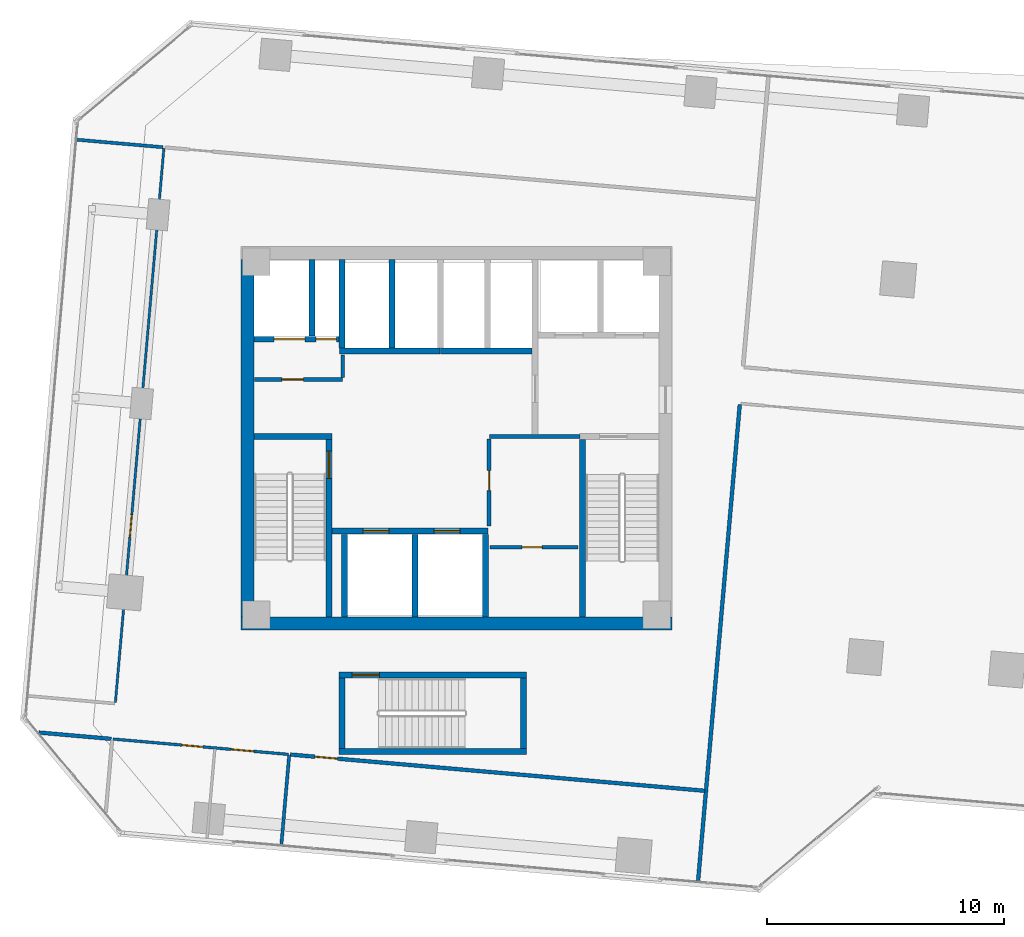
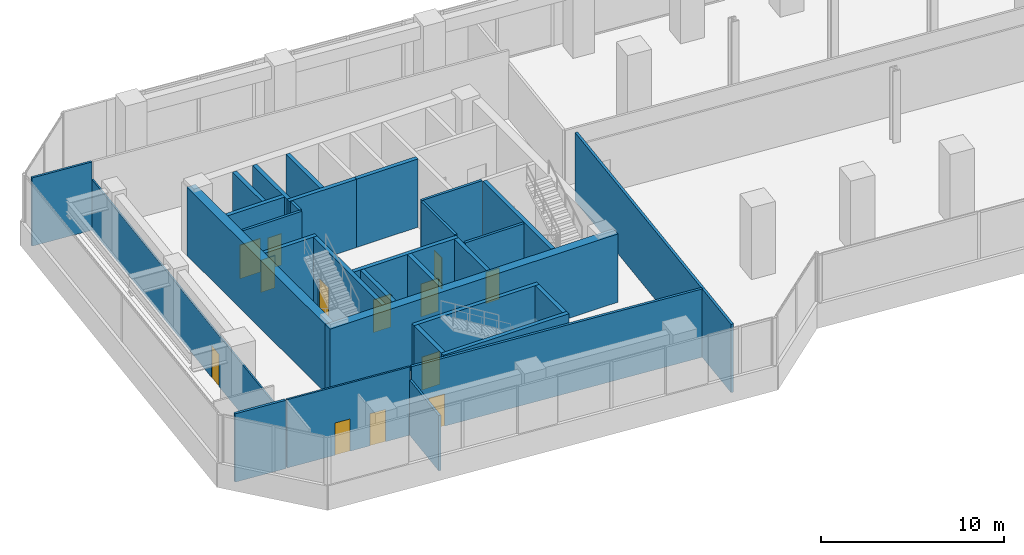
# One storey, part 20 of 24: 31 walls, 13 doors, 13 openings.
"""IFC4 building model written with IfcOpenShell, lengths in metres."""

from ifc_helpers import new_model, si_unit, direction, frame, frame_2d, origin, place, context, subcontext, project, spatial, rectangle, extrude, source, transform, mapped, material, layer, layer_set, type_object, element, fill, save


model = new_model("IFC4")

# Units and contexts
model_context = context("Model", 3, precision=1e-05, world=origin(), true_north=direction((0.0, 1.0)))
body_context = subcontext(model_context, "Body", "Model", "MODEL_VIEW")
ifc_project = project(units=[si_unit("LENGTHUNIT", "METRE"), si_unit("AREAUNIT", "SQUARE_METRE"), si_unit("VOLUMEUNIT", "CUBIC_METRE"), si_unit("PLANEANGLEUNIT", "RADIAN"), si_unit("MASSUNIT", "GRAM", prefix="KILO")], contexts=[model_context])

# Site, building, storey
site_placement = place(None, origin())
site = spatial("IfcSite", under=ifc_project, at=site_placement, CompositionType="ELEMENT")
building_placement = place(site_placement, origin())
building = spatial("IfcBuilding", under=site, at=building_placement, Name="Torre Montelarca", CompositionType="ELEMENT")
storey_placement = place(building_placement, frame((0.0, 0.0, 47.199951171875)))
storey = spatial("IfcBuildingStorey", under=building, at=storey_placement, Name="L10", CompositionType="ELEMENT", Elevation=47.199951171875)

# Wall, opening, door
ifc_material_1 = material(Name="Concrete C40/50", Category="concrete")
ifc_layer_1 = layer(ifc_material_1, 0.25, Name="Concrete C40/50", Category="concrete")
ifc_layer_set_1 = layer_set([ifc_layer_1], Name="Concrete C40/50")
wall_type_1 = type_object("IfcWallType", Name="CW-SHAFT-250", PredefinedType="SHEAR", material=ifc_layer_set_1)
wall_1_placement = place(storey_placement, frame((12.625, 24.4599609375, 0.0), z_axis=(0.0, 0.0, 1.0), x_axis=(0.0, 1.0, 0.0)))
wall_1 = element("IfcWall", 1, at=wall_1_placement, inside=storey, type_object=wall_type_1, Name="L10 Core Shear Wall SH-ST1-E", PredefinedType="SHEAR", context=body_context, shape_type="SweptSolid", body=[
    extrude(rectangle(XDim=7.489990234375, YDim=0.25, at=frame_2d((3.7451171875, 0.0))), origin(), (0.0, 0.0, 1.0), 4.56005859375),
])
opening_1_placement = place(wall_1_placement, frame((5.85009765625, 0.0, 0.0)))
opening_1 = element("IfcOpeningElement", 2, at=opening_1_placement, cuts=wall_1, Name="Opening FD-ST1", PredefinedType="OPENING", context=body_context, shape_type="SweptSolid", body=[
    extrude(rectangle(XDim=1.14990234375, YDim=2.199951171875, at=frame_2d((0.574951171875, 1.10009765625))), frame((0.0, 0.135009765625, 0.0), z_axis=(0.0, -1.0, 0.0), x_axis=(1.0, 0.0, 0.0)), (0.0, 0.0, 1.0), 0.27001953125),
])
ifc_material_2 = material(Name="Galvanized steel fire door", Category="steel")
door_type_1 = type_object("IfcDoorType", Name="DR-STAIR-115", OperationType="NOTDEFINED", PredefinedType="DOOR", material=ifc_material_2)
shared_shape_1 = source(origin(), body_context, "Body", "SweptSolid", [
    extrude(rectangle(XDim=1.14990234375, YDim=2.199951171875, at=frame_2d((0.574951171875, 1.10009765625))), frame((0.0, 0.02490234375, 0.0), z_axis=(0.0, -1.0, 0.0), x_axis=(1.0, 0.0, 0.0)), (0.0, 0.0, 1.0), 0.050048828125),
])
door_1_placement = place(opening_1_placement, origin())
door_1 = element("IfcDoor", 3, at=door_1_placement, inside=storey, type_object=door_type_1, Name="L10 Exit Stair ST1 Fire Door", OperationType="SINGLE_SWING_RIGHT", OverallHeight=2.199951171875, OverallWidth=1.14990234375, PredefinedType="DOOR", context=body_context, shape_type="MappedRepresentation", body=[
    mapped(shared_shape_1, transform((0.0, 0.0, 0.0), scale=1.0)),
])
fill(opening_1, door_1)

# Walls
wall_2_placement = place(storey_placement, frame((9.4599609375, 32.074951171875, 0.0), z_axis=(0.0, 0.0, 1.0), x_axis=(1.0, 0.0, 0.0)))
element("IfcWall", 4, at=wall_2_placement, inside=storey, type_object=wall_type_1, Name="L10 Core Shear Wall SH-ST1-N", PredefinedType="SHEAR", context=body_context, shape_type="SweptSolid", body=[
    extrude(rectangle(XDim=3.2900390625, YDim=0.25, at=frame_2d((1.64501953125, 0.0))), origin(), (0.0, 0.0, 1.0), 4.56005859375),
])
wall_3_placement = place(storey_placement, frame((23.31494140625, 24.4599609375, 0.0), z_axis=(0.0, 0.0, 1.0), x_axis=(0.0, 1.0, 0.0)))
element("IfcWall", 5, at=wall_3_placement, inside=storey, type_object=wall_type_1, Name="L10 Core Shear Wall SH-ST2-W", PredefinedType="SHEAR", context=body_context, shape_type="SweptSolid", body=[
    extrude(rectangle(XDim=7.489990234375, YDim=0.25, at=frame_2d((3.7451171875, 0.0))), origin(), (0.0, 0.0, 1.0), 4.56005859375),
])

# Wall, openings, doors
wall_4_placement = place(storey_placement, frame((9.4599609375, 36.179931640625, 0.0), z_axis=(0.0, 0.0, 1.0), x_axis=(1.0, 0.0, 0.0)))
wall_4 = element("IfcWall", 6, at=wall_4_placement, inside=storey, type_object=wall_type_1, Name="L10 Core Shear Wall SH-SV1-S", PredefinedType="SHEAR", context=body_context, shape_type="SweptSolid", body=[
    extrude(rectangle(XDim=3.7900390625, YDim=0.25, at=frame_2d((1.89501953125, 0.0))), origin(), (0.0, 0.0, 1.0), 4.56005859375),
])
opening_2_placement = place(wall_4_placement, frame((2.6201171875, 0.0, 0.0)))
opening_2 = element("IfcOpeningElement", 7, at=opening_2_placement, cuts=wall_4, Name="Opening FD-085", PredefinedType="OPENING", context=body_context, shape_type="SweptSolid", body=[
    extrude(rectangle(XDim=0.85009765625, YDim=2.10009765625, at=frame_2d((0.425048828125, 1.050048828125))), frame((0.0, 0.135009765625, 0.0), z_axis=(0.0, -1.0, 0.0), x_axis=(1.0, 0.0, 0.0)), (0.0, 0.0, 1.0), 0.27001953125),
])
opening_3_placement = place(wall_4_placement, frame((0.85009765625, 0.0, 0.0)))
opening_3 = element("IfcOpeningElement", 8, at=opening_3_placement, cuts=wall_4, Name="Opening LD-130", PredefinedType="OPENING", context=body_context, shape_type="SweptSolid", body=[
    extrude(rectangle(XDim=1.300048828125, YDim=2.25, at=frame_2d((0.64990234375, 1.125))), frame((0.0, 0.135009765625, 0.0), z_axis=(0.0, -1.0, 0.0), x_axis=(1.0, 0.0, 0.0)), (0.0, 0.0, 1.0), 0.27001953125),
])
ifc_material_3 = material(Name="Steel riser access fire door", Category="steel")
door_type_2 = type_object("IfcDoorType", Name="DR-RISER-085", OperationType="NOTDEFINED", PredefinedType="DOOR", material=ifc_material_3)
shared_shape_2 = source(origin(), body_context, "Body", "SweptSolid", [
    extrude(rectangle(XDim=0.85009765625, YDim=2.10009765625, at=frame_2d((0.425048828125, 1.050048828125))), frame((0.0, 0.02490234375, 0.0), z_axis=(0.0, -1.0, 0.0), x_axis=(1.0, 0.0, 0.0)), (0.0, 0.0, 1.0), 0.050048828125),
])
door_2_placement = place(opening_2_placement, origin())
door_2 = element("IfcDoor", 9, at=door_2_placement, inside=storey, type_object=door_type_2, Name="L10 Electrical Riser Shaft Access Door", OperationType="SINGLE_SWING_RIGHT", OverallHeight=2.10009765625, OverallWidth=0.85009765625, PredefinedType="DOOR", context=body_context, shape_type="MappedRepresentation", body=[
    mapped(shared_shape_2, transform((0.0, 0.0, 0.0), scale=1.0)),
])
fill(opening_2, door_2)
ifc_material_4 = material(Name="Brushed stainless steel AISI 316", Category="steel")
door_type_3 = type_object("IfcDoorType", Name="DR-LIFT-130", OperationType="SLIDING_TO_LEFT", PredefinedType="DOOR", material=ifc_material_4)
shared_shape_3 = source(origin(), body_context, "Body", "SweptSolid", [
    extrude(rectangle(XDim=1.300048828125, YDim=2.25, at=frame_2d((0.64990234375, 1.125))), frame((0.0, 0.02490234375, 0.0), z_axis=(0.0, -1.0, 0.0), x_axis=(1.0, 0.0, 0.0)), (0.0, 0.0, 1.0), 0.050048828125),
])
door_3_placement = place(opening_3_placement, origin())
door_3 = element("IfcDoor", 10, at=door_3_placement, inside=storey, type_object=door_type_3, Name="L10 Lift Landing Sliding Door SV-1", OperationType="SLIDING_TO_LEFT", OverallHeight=2.25, OverallWidth=1.300048828125, PredefinedType="DOOR", context=body_context, shape_type="MappedRepresentation", body=[
    mapped(shared_shape_3, transform((0.0, 0.0, 0.0), scale=1.0)),
])
fill(opening_3, door_3)

# Wall
wall_5_placement = place(storey_placement, frame((11.89990234375, 36.31005859375, 0.0), z_axis=(0.0, 0.0, 1.0), x_axis=(0.0, 1.0, 0.0)))
element("IfcWall", 11, at=wall_5_placement, inside=storey, type_object=wall_type_1, Name="L10 Core Shear Wall SH-SV1-E", PredefinedType="SHEAR", context=body_context, shape_type="SweptSolid", body=[
    extrude(rectangle(XDim=3.22998046875, YDim=0.25, at=frame_2d((1.614990234375, 0.0))), origin(), (0.0, 0.0, 1.0), 4.56005859375),
])

# Wall, openings, doors
wall_6_placement = place(storey_placement, frame((12.6298828125, 28.080078125, 0.0), z_axis=(0.0, 0.0, 1.0), x_axis=(1.0, 0.0, 0.0)))
wall_6 = element("IfcWall", 12, at=wall_6_placement, inside=storey, type_object=wall_type_1, Name="L10 Core Shear Wall SH-PLL-N", PredefinedType="SHEAR", context=body_context, shape_type="SweptSolid", body=[
    extrude(rectangle(XDim=6.710205078125, YDim=0.25, at=frame_2d((3.35498046875, 0.0))), origin(), (0.0, 0.0, 1.0), 4.56005859375),
])
opening_4_placement = place(wall_6_placement, frame((1.429931640625, 0.0, 0.0)))
opening_4 = element("IfcOpeningElement", 13, at=opening_4_placement, cuts=wall_6, Name="Opening LD-110", PredefinedType="OPENING", context=body_context, shape_type="SweptSolid", body=[
    extrude(rectangle(XDim=1.10009765625, YDim=2.199951171875, at=frame_2d((0.550048828125, 1.10009765625))), frame((0.0, 0.135009765625, 0.0), z_axis=(0.0, -1.0, 0.0), x_axis=(1.0, 0.0, 0.0)), (0.0, 0.0, 1.0), 0.27001953125),
])
opening_5_placement = place(wall_6_placement, frame((4.429931640625, 0.0, 0.0)))
opening_5 = element("IfcOpeningElement", 14, at=opening_5_placement, cuts=wall_6, Name="Opening LD-110", PredefinedType="OPENING", context=body_context, shape_type="SweptSolid", body=[
    extrude(rectangle(XDim=1.10009765625, YDim=2.199951171875, at=frame_2d((0.550048828125, 1.10009765625))), frame((0.0, 0.135009765625, 0.0), z_axis=(0.0, -1.0, 0.0), x_axis=(1.0, 0.0, 0.0)), (0.0, 0.0, 1.0), 0.27001953125),
])
door_type_4 = type_object("IfcDoorType", Name="DR-LIFT-110", OperationType="SLIDING_TO_LEFT", PredefinedType="DOOR", material=ifc_material_4)
shared_shape_4 = source(origin(), body_context, "Body", "SweptSolid", [
    extrude(rectangle(XDim=1.10009765625, YDim=2.199951171875, at=frame_2d((0.550048828125, 1.10009765625))), frame((0.0, 0.02490234375, 0.0), z_axis=(0.0, -1.0, 0.0), x_axis=(1.0, 0.0, 0.0)), (0.0, 0.0, 1.0), 0.050048828125),
])
door_4_placement = place(opening_4_placement, origin())
door_4 = element("IfcDoor", 15, at=door_4_placement, inside=storey, type_object=door_type_4, Name="L10 Lift Landing Sliding Door PL-L1", OperationType="SLIDING_TO_LEFT", OverallHeight=2.199951171875, OverallWidth=1.10009765625, PredefinedType="DOOR", context=body_context, shape_type="MappedRepresentation", body=[
    mapped(shared_shape_4, transform((0.0, 0.0, 0.0), scale=1.0)),
])
fill(opening_4, door_4)
door_5_placement = place(opening_5_placement, origin())
door_5 = element("IfcDoor", 16, at=door_5_placement, inside=storey, type_object=door_type_4, Name="L10 Lift Landing Sliding Door PL-L2", OperationType="SLIDING_TO_RIGHT", OverallHeight=2.199951171875, OverallWidth=1.10009765625, PredefinedType="DOOR", context=body_context, shape_type="MappedRepresentation", body=[
    mapped(shared_shape_4, transform((0.0, 0.0, 0.0), scale=1.0)),
])
fill(opening_5, door_5)

# Walls
for number, where, z_axis, x_axis, name in (
    (17, (13.280029296875, 24.4599609375, 0.0), (0.0, 0.0, 1.0), (0.0, 1.0, 0.0), "L10 Core Shear Wall SH-PLL-W"),
    (18, (16.25, 24.4599609375, 0.0), (0.0, 0.0, 1.0), (0.0, 1.0, 0.0), "L10 Core Shear Wall SH-PLL-M"),
    (19, (19.219970703125, 24.4599609375, 0.0), (0.0, 0.0, 1.0), (0.0, 1.0, 0.0), "L10 Core Shear Wall SH-PLL-E"),
):
    element("IfcWall", number, at=place(storey_placement, frame(where, z_axis=z_axis, x_axis=x_axis)), inside=storey, type_object=wall_type_1, Name=name, PredefinedType="SHEAR", context=body_context, shape_type="SweptSolid", body=[
        extrude(rectangle(XDim=3.489990234375, YDim=0.25, at=frame_2d((1.7451171875, 0.0))), origin(), (0.0, 0.0, 1.0), 4.56005859375),
    ])
wall_7_placement = place(storey_placement, frame((13.06005859375, 35.679931640625, 0.0), z_axis=(0.0, 0.0, 1.0), x_axis=(1.0, 0.0, 0.0)))
element("IfcWall", 20, at=wall_7_placement, inside=storey, type_object=wall_type_1, Name="L10 Core Shear Wall SH-PLM-S", PredefinedType="SHEAR", context=body_context, shape_type="SweptSolid", body=[
    extrude(rectangle(XDim=4.25, YDim=0.25, at=frame_2d((2.125, 0.0))), origin(), (0.0, 0.0, 1.0), 4.56005859375),
])
for number, where, z_axis, x_axis, name in (
    (21, (13.179931640625, 35.81005859375, 0.0), (0.0, 0.0, 1.0), (0.0, 1.0, 0.0), "L10 Core Shear Wall SH-PLM-W"),
    (22, (15.280029296875, 35.81005859375, 0.0), (0.0, 0.0, 1.0), (0.0, 1.0, 0.0), "L10 Core Shear Wall SH-PLM-M"),
):
    element("IfcWall", number, at=place(storey_placement, frame(where, z_axis=z_axis, x_axis=x_axis)), inside=storey, type_object=wall_type_1, Name=name, PredefinedType="SHEAR", context=body_context, shape_type="SweptSolid", body=[
        extrude(rectangle(XDim=3.72998046875, YDim=0.25, at=frame_2d((1.864990234375, 0.0))), origin(), (0.0, 0.0, 1.0), 4.56005859375),
    ])
wall_8_placement = place(storey_placement, frame((17.320068359375, 35.679931640625, 0.0), z_axis=(0.0, 0.0, 1.0), x_axis=(1.0, 0.0, 0.0)))
element("IfcWall", 23, at=wall_8_placement, inside=storey, type_object=wall_type_1, Name="L10 Core Shear Wall SH-PLH-S", PredefinedType="SHEAR", context=body_context, shape_type="SweptSolid", body=[
    extrude(rectangle(XDim=3.869873046875, YDim=0.25, at=frame_2d((1.93505859375, 0.0))), origin(), (0.0, 0.0, 1.0), 4.56005859375),
])
for number, where, z_axis, x_axis, name in (
    (24, (13.175048828125, 18.89990234375, 0.0), (0.0, 0.0, 1.0), (0.0, 1.0, 0.0), "L10 Core Shear Wall SH-ST3-W"),
    (25, (20.824951171875, 18.89990234375, 0.0), (0.0, 0.0, 1.0), (0.0, 1.0, 0.0), "L10 Core Shear Wall SH-ST3-E"),
):
    element("IfcWall", number, at=place(storey_placement, frame(where, z_axis=z_axis, x_axis=x_axis)), inside=storey, type_object=wall_type_1, Name=name, PredefinedType="SHEAR", context=body_context, shape_type="SweptSolid", body=[
        extrude(rectangle(XDim=2.989990234375, YDim=0.25, at=frame_2d((1.4951171875, 0.0))), origin(), (0.0, 0.0, 1.0), 4.56005859375),
    ])
wall_9_placement = place(storey_placement, frame((13.050048828125, 18.77490234375, 0.0), z_axis=(0.0, 0.0, 1.0), x_axis=(1.0, 0.0, 0.0)))
element("IfcWall", 26, at=wall_9_placement, inside=storey, type_object=wall_type_1, Name="L10 Core Shear Wall SH-ST3-S", PredefinedType="SHEAR", context=body_context, shape_type="SweptSolid", body=[
    extrude(rectangle(XDim=7.89990234375, YDim=0.25, at=frame_2d((3.949951171875, 0.0))), origin(), (0.0, 0.0, 1.0), 4.56005859375),
])

# Wall, opening, door
wall_10_placement = place(storey_placement, frame((13.050048828125, 22.014892578125, 0.0), z_axis=(0.0, 0.0, 1.0), x_axis=(1.0, 0.0, 0.0)))
wall_10 = element("IfcWall", 27, at=wall_10_placement, inside=storey, type_object=wall_type_1, Name="L10 Core Shear Wall SH-ST3-N", PredefinedType="SHEAR", context=body_context, shape_type="SweptSolid", body=[
    extrude(rectangle(XDim=7.89990234375, YDim=0.25, at=frame_2d((3.949951171875, 0.0))), origin(), (0.0, 0.0, 1.0), 4.56005859375),
])
opening_6_placement = place(wall_10_placement, frame((0.550048828125, 0.0, 0.0)))
opening_6 = element("IfcOpeningElement", 28, at=opening_6_placement, cuts=wall_10, Name="Opening FD-ST1", PredefinedType="OPENING", context=body_context, shape_type="SweptSolid", body=[
    extrude(rectangle(XDim=1.14990234375, YDim=2.199951171875, at=frame_2d((0.574951171875, 1.10009765625))), frame((0.0, 0.135009765625, 0.0), z_axis=(0.0, -1.0, 0.0), x_axis=(1.0, 0.0, 0.0)), (0.0, 0.0, 1.0), 0.27001953125),
])
door_6_placement = place(opening_6_placement, origin())
door_6 = element("IfcDoor", 29, at=door_6_placement, inside=storey, type_object=door_type_1, Name="L10 Exit Stair ST3 Fire Door", OperationType="SINGLE_SWING_LEFT", OverallHeight=2.199951171875, OverallWidth=1.14990234375, PredefinedType="DOOR", context=body_context, shape_type="MappedRepresentation", body=[
    mapped(shared_shape_1, transform((0.0, 0.0, 0.0), scale=1.0)),
])
fill(opening_6, door_6)

# Walls
ifc_material_5 = material(Name="Concrete C70/85", Category="concrete")
ifc_layer_2 = layer(ifc_material_5, 0.550048828125, Name="Concrete C70/85", Category="concrete")
ifc_layer_set_2 = layer_set([ifc_layer_2], Name="Concrete C70/85")
wall_type_2 = type_object("IfcWallType", Name="CW-SHEAR-550", PredefinedType="SHEAR", material=ifc_layer_set_2)
wall_11_placement = place(storey_placement, frame((9.175048828125, 24.449951171875, 0.0), z_axis=(0.0, 0.0, 1.0), x_axis=(0.0, 1.0, 0.0)))
element("IfcWall", 30, at=wall_11_placement, inside=storey, type_object=wall_type_2, Name="L10 Core Shear Wall CW-W", PredefinedType="SHEAR", context=body_context, shape_type="SweptSolid", body=[
    extrude(rectangle(XDim=15.10009765625, YDim=0.550048828125, at=frame_2d((7.550048828125, 0.0))), origin(), (0.0, 0.0, 1.0), 4.56005859375),
])
wall_12_placement = place(storey_placement, frame((8.89990234375, 24.175048828125, 0.0), z_axis=(0.0, 0.0, 1.0), x_axis=(1.0, 0.0, 0.0)))
element("IfcWall", 31, at=wall_12_placement, inside=storey, type_object=wall_type_2, Name="L10 Core Shear Wall CW-S1", PredefinedType="SHEAR", context=body_context, shape_type="SweptSolid", body=[
    extrude(rectangle(XDim=18.2001953125, YDim=0.550048828125, at=frame_2d((9.10009765625, 0.0))), origin(), (0.0, 0.0, 1.0), 4.56005859375),
])

# Wall, opening, door
ifc_material_6 = material(Name="Gypsum plasterboard on steel stud", Category="steel")
ifc_layer_3 = layer(ifc_material_6, 0.159912109375, Name="Gypsum plasterboard on steel stud", Category="steel")
ifc_layer_set_3 = layer_set([ifc_layer_3], Name="Gypsum plasterboard on steel stud")
wall_type_3 = type_object("IfcWallType", Name="PW-FIRE-160", PredefinedType="PARTITIONING", material=ifc_layer_set_3)
wall_13_placement = place(storey_placement, frame((9.489990234375, 34.47998046875, 0.0), z_axis=(0.0, 0.0, 1.0), x_axis=(1.0, 0.0, 0.0)))
wall_13 = element("IfcWall", 32, at=wall_13_placement, inside=storey, type_object=wall_type_3, Name="L10 Interior Partition CW-L10-SVS", PredefinedType="PARTITIONING", context=body_context, shape_type="SweptSolid", body=[
    extrude(rectangle(XDim=3.699951171875, YDim=0.159912109375, at=frame_2d((1.85009765625, 0.0))), origin(), (0.0, 0.0, 1.0), 4.56005859375),
])
opening_7_placement = place(wall_13_placement, frame((1.14990234375, 0.0, 0.0)))
opening_7 = element("IfcOpeningElement", 33, at=opening_7_placement, cuts=wall_13, Name="Opening FD-090", PredefinedType="OPENING", context=body_context, shape_type="SweptSolid", body=[
    extrude(rectangle(XDim=0.89990234375, YDim=2.14990234375, at=frame_2d((0.449951171875, 1.074951171875))), frame((0.0, 0.08984375, 0.0), z_axis=(0.0, -1.0, 0.0), x_axis=(1.0, 0.0, 0.0)), (0.0, 0.0, 1.0), 0.179931640625),
])
ifc_material_7 = material(Name="Steel service fire door", Category="steel")
door_type_5 = type_object("IfcDoorType", Name="DR-FIRE-090", OperationType="NOTDEFINED", PredefinedType="DOOR", material=ifc_material_7)
shared_shape_5 = source(origin(), body_context, "Body", "SweptSolid", [
    extrude(rectangle(XDim=0.89990234375, YDim=2.14990234375, at=frame_2d((0.449951171875, 1.074951171875))), frame((0.0, 0.02490234375, 0.0), z_axis=(0.0, -1.0, 0.0), x_axis=(1.0, 0.0, 0.0)), (0.0, 0.0, 1.0), 0.050048828125),
])
door_7_placement = place(opening_7_placement, origin())
door_7 = element("IfcDoor", 34, at=door_7_placement, inside=storey, type_object=door_type_5, Name="L10 Interior Door 01", OperationType="SINGLE_SWING_RIGHT", OverallHeight=2.14990234375, OverallWidth=0.89990234375, PredefinedType="DOOR", context=body_context, shape_type="MappedRepresentation", body=[
    mapped(shared_shape_5, transform((0.0, 0.0, 0.0), scale=1.0)),
])
fill(opening_7, door_7)

# Walls
wall_14_placement = place(storey_placement, frame((13.199951171875, 34.570068359375, 0.0), z_axis=(0.0, 0.0, 1.0), x_axis=(0.0, 1.0, 0.0)))
element("IfcWall", 35, at=wall_14_placement, inside=storey, type_object=wall_type_3, Name="L10 Interior Partition CW-L10-SVE", PredefinedType="PARTITIONING", context=body_context, shape_type="SweptSolid", body=[
    extrude(rectangle(XDim=0.93994140625, YDim=0.159912109375, at=frame_2d((0.469970703125, 0.0))), origin(), (0.0, 0.0, 1.0), 4.56005859375),
])
wall_15_placement = place(storey_placement, frame((19.389892578125, 32.080078125, 0.0), z_axis=(0.0, 0.0, 1.0), x_axis=(1.0, 0.0, 0.0)))
element("IfcWall", 36, at=wall_15_placement, inside=storey, type_object=wall_type_3, Name="L10 Interior Partition CW-L10-SEN", PredefinedType="PARTITIONING", context=body_context, shape_type="SweptSolid", body=[
    extrude(rectangle(XDim=3.820068359375, YDim=0.159912109375, at=frame_2d((1.91015625, 0.0))), origin(), (0.0, 0.0, 1.0), 4.56005859375),
])

# Wall, opening, door
wall_16_placement = place(storey_placement, frame((19.3798828125, 28.2900390625, 0.0), z_axis=(0.0, 0.0, 1.0), x_axis=(0.0, 1.0, 0.0)))
wall_16 = element("IfcWall", 37, at=wall_16_placement, inside=storey, type_object=wall_type_3, Name="L10 Interior Partition CW-L10-SEW", PredefinedType="PARTITIONING", context=body_context, shape_type="SweptSolid", body=[
    extrude(rectangle(XDim=3.669921875, YDim=0.159912109375, at=frame_2d((1.8349609375, 0.0))), origin(), (0.0, 0.0, 1.0), 4.56005859375),
])
opening_8_placement = place(wall_16_placement, frame((1.5, 0.0, 0.0)))
opening_8 = element("IfcOpeningElement", 38, at=opening_8_placement, cuts=wall_16, Name="Opening FD-085", PredefinedType="OPENING", context=body_context, shape_type="SweptSolid", body=[
    extrude(rectangle(XDim=0.85009765625, YDim=2.10009765625, at=frame_2d((0.425048828125, 1.050048828125))), frame((0.0, 0.08984375, 0.0), z_axis=(0.0, -1.0, 0.0), x_axis=(1.0, 0.0, 0.0)), (0.0, 0.0, 1.0), 0.179931640625),
])
door_8_placement = place(opening_8_placement, origin())
door_8 = element("IfcDoor", 39, at=door_8_placement, inside=storey, type_object=door_type_2, Name="L10 Interior Door 03", OperationType="SINGLE_SWING_RIGHT", OverallHeight=2.10009765625, OverallWidth=0.85009765625, PredefinedType="DOOR", context=body_context, shape_type="MappedRepresentation", body=[
    mapped(shared_shape_2, transform((0.0, 0.0, 0.0), scale=1.0)),
])
fill(opening_8, door_8)

wall_17_placement = place(storey_placement, frame((19.419921875, 27.39990234375, 0.0), z_axis=(0.0, 0.0, 1.0), x_axis=(1.0, 0.0, 0.0)))
wall_17 = element("IfcWall", 40, at=wall_17_placement, inside=storey, type_object=wall_type_3, Name="L10 Interior Partition CW-L10-SEM1", PredefinedType="PARTITIONING", context=body_context, shape_type="SweptSolid", body=[
    extrude(rectangle(XDim=3.719970703125, YDim=0.159912109375, at=frame_2d((1.85986328125, 0.0))), origin(), (0.0, 0.0, 1.0), 4.56005859375),
])
opening_9_placement = place(wall_17_placement, frame((1.35009765625, 0.0, 0.0)))
opening_9 = element("IfcOpeningElement", 41, at=opening_9_placement, cuts=wall_17, Name="Opening FD-085", PredefinedType="OPENING", context=body_context, shape_type="SweptSolid", body=[
    extrude(rectangle(XDim=0.85009765625, YDim=2.10009765625, at=frame_2d((0.425048828125, 1.050048828125))), frame((0.0, 0.08984375, 0.0), z_axis=(0.0, -1.0, 0.0), x_axis=(1.0, 0.0, 0.0)), (0.0, 0.0, 1.0), 0.179931640625),
])
door_9_placement = place(opening_9_placement, origin())
door_9 = element("IfcDoor", 42, at=door_9_placement, inside=storey, type_object=door_type_2, Name="L10 Interior Door 02", OperationType="SINGLE_SWING_LEFT", OverallHeight=2.10009765625, OverallWidth=0.85009765625, PredefinedType="DOOR", context=body_context, shape_type="MappedRepresentation", body=[
    mapped(shared_shape_2, transform((0.0, 0.0, 0.0), scale=1.0)),
])
fill(opening_9, door_9)

# Wall
wall_18_placement = place(storey_placement, frame((0.385498046875, 19.5830078125, 0.0), z_axis=(0.0, 0.0, 1.0), x_axis=(0.996195275171, -0.087149146451, 0.0)))
element("IfcWall", 43, at=wall_18_placement, inside=storey, type_object=wall_type_3, Name="L10 Interior Partition W-L10-SOCCW", PredefinedType="PARTITIONING", context=body_context, shape_type="SweptSolid", body=[
    extrude(rectangle(XDim=3.06201171875, YDim=0.159912109375, at=frame_2d((1.531005859375, 0.0))), origin(), (0.0, 0.0, 1.0), 4.56005859375),
])

# Wall, opening, door
wall_19_placement = place(storey_placement, frame((10.98681640625, 18.655517578125, 0.0), z_axis=(0.0, 0.0, 1.0), x_axis=(0.99619508988, -0.087151264471, 0.0)))
wall_19 = element("IfcWall", 44, at=wall_19_placement, inside=storey, type_object=wall_type_3, Name="L10 Interior Partition W-L10-SOCCN", PredefinedType="PARTITIONING", context=body_context, shape_type="SweptSolid", body=[
    extrude(rectangle(XDim=17.570068359375, YDim=0.159912109375, at=frame_2d((8.78515625, 0.0))), origin(), (0.0, 0.0, 1.0), 4.56005859375),
])
opening_10_placement = place(wall_19_placement, frame((1.050048828125, 0.0, 0.0)))
opening_10 = element("IfcOpeningElement", 45, at=opening_10_placement, cuts=wall_19, Name="Opening FD-095", PredefinedType="OPENING", context=body_context, shape_type="SweptSolid", body=[
    extrude(rectangle(XDim=0.949951171875, YDim=2.14990234375, at=frame_2d((0.47509765625, 1.074951171875))), frame((0.0, 0.08984375, 0.0), z_axis=(0.0, -1.0, 0.0), x_axis=(1.0, 0.0, 0.0)), (0.0, 0.0, 1.0), 0.179931640625),
])
ifc_material_8 = material(Name="Timber fire-rated room door", Category="wood")
door_type_6 = type_object("IfcDoorType", Name="DR-FIRE-095", OperationType="NOTDEFINED", PredefinedType="DOOR", material=ifc_material_8)
shared_shape_6 = source(origin(), body_context, "Body", "SweptSolid", [
    extrude(rectangle(XDim=0.949951171875, YDim=2.14990234375, at=frame_2d((0.47509765625, 1.074951171875))), frame((0.0, 0.02490234375, 0.0), z_axis=(0.0, -1.0, 0.0), x_axis=(1.0, 0.0, 0.0)), (0.0, 0.0, 1.0), 0.050048828125),
])
door_10_placement = place(opening_10_placement, origin())
door_10 = element("IfcDoor", 46, at=door_10_placement, inside=storey, type_object=door_type_6, Name="L10 Interior Door 06", OperationType="SINGLE_SWING_RIGHT", OverallHeight=2.14990234375, OverallWidth=0.949951171875, PredefinedType="DOOR", context=body_context, shape_type="MappedRepresentation", body=[
    mapped(shared_shape_6, transform((0.0, 0.0, 0.0), scale=1.0)),
])
fill(opening_10, door_10)

# Wall
wall_20_placement = place(storey_placement, frame((28.197998046875, 13.3251953125, 0.0), z_axis=(0.0, 0.0, 1.0), x_axis=(0.087154794008, 0.996194781095, 0.0)))
element("IfcWall", 47, at=wall_20_placement, inside=storey, type_object=wall_type_3, Name="L10 Interior Partition W-L10-ECS", PredefinedType="PARTITIONING", context=body_context, shape_type="SweptSolid", body=[
    extrude(rectangle(XDim=20.18017578125, YDim=0.159912109375, at=frame_2d((10.090087890625, 0.0))), origin(), (0.0, 0.0, 1.0), 4.56005859375),
])

# Wall, opening, door
ifc_material_9 = material(Name="Acoustic laminated glass partition", Category="glass")
ifc_layer_4 = layer(ifc_material_9, 0.10009765625, Name="Acoustic laminated glass partition", Category="glass")
ifc_layer_set_4 = layer_set([ifc_layer_4], Name="Acoustic laminated glass partition")
wall_type_4 = type_object("IfcWallType", Name="PW-GLAZ-100", PredefinedType="PARTITIONING", material=ifc_layer_set_4)
wall_21_placement = place(storey_placement, frame((3.60986328125, 20.8466796875, 0.0), z_axis=(0.0, 0.0, 1.0), x_axis=(0.087153664928, 0.996194879875, 0.0)))
wall_21 = element("IfcWall", 48, at=wall_21_placement, inside=storey, type_object=wall_type_4, Name="L10 Interior Partition W-L10-WWGE", PredefinedType="PARTITIONING", context=body_context, shape_type="SweptSolid", body=[
    extrude(rectangle(XDim=23.480224609375, YDim=0.10009765625, at=frame_2d((11.740234375, 0.0))), origin(), (0.0, 0.0, 1.0), 3.39501953125),
])
opening_11_placement = place(wall_21_placement, frame((7.0, 0.0, 0.0)))
opening_11 = element("IfcOpeningElement", 49, at=opening_11_placement, cuts=wall_21, Name="Opening ID-095", PredefinedType="OPENING", context=body_context, shape_type="SweptSolid", body=[
    extrude(rectangle(XDim=0.949951171875, YDim=2.14990234375, at=frame_2d((0.47509765625, 1.074951171875))), frame((0.0, 0.06005859375, 0.0), z_axis=(0.0, -1.0, 0.0), x_axis=(1.0, 0.0, 0.0)), (0.0, 0.0, 1.0), 0.1201171875),
])
ifc_material_10 = material(Name="Hardwood acoustic timber veneer", Category="wood")
door_type_7 = type_object("IfcDoorType", Name="DR-INT-095", OperationType="NOTDEFINED", PredefinedType="DOOR", material=ifc_material_10)
shared_shape_7 = source(origin(), body_context, "Body", "SweptSolid", [
    extrude(rectangle(XDim=0.949951171875, YDim=2.14990234375, at=frame_2d((0.47509765625, 1.074951171875))), frame((0.0, 0.02490234375, 0.0), z_axis=(0.0, -1.0, 0.0), x_axis=(1.0, 0.0, 0.0)), (0.0, 0.0, 1.0), 0.050048828125),
])
door_11_placement = place(opening_11_placement, origin())
door_11 = element("IfcDoor", 50, at=door_11_placement, inside=storey, type_object=door_type_7, Name="L10 Interior Door 08", OperationType="SINGLE_SWING_LEFT", OverallHeight=2.14990234375, OverallWidth=0.949951171875, PredefinedType="DOOR", context=body_context, shape_type="MappedRepresentation", body=[
    mapped(shared_shape_7, transform((0.0, 0.0, 0.0), scale=1.0)),
])
fill(opening_11, door_11)

# Wall, openings, doors
ifc_layer_5 = layer(ifc_material_6, 0.114990234375, Name="Gypsum plasterboard on steel stud", Category="steel")
ifc_layer_set_5 = layer_set([ifc_layer_5], Name="Gypsum plasterboard on steel stud")
wall_type_5 = type_object("IfcWallType", Name="PW-PART-115", PredefinedType="PARTITIONING", material=ifc_layer_set_5)
wall_22_placement = place(storey_placement, frame((3.515380859375, 19.30908203125, 0.0), z_axis=(0.0, 0.0, 1.0), x_axis=(0.99619725236, -0.0871265424, 0.0)))
wall_22 = element("IfcWall", 51, at=wall_22_placement, inside=storey, type_object=wall_type_5, Name="L10 Interior Partition W-L10-WCN", PredefinedType="PARTITIONING", context=body_context, shape_type="SweptSolid", body=[
    extrude(rectangle(XDim=7.420166015625, YDim=0.114990234375, at=frame_2d((3.7099609375, 0.0))), origin(), (0.0, 0.0, 1.0), 4.56005859375),
])
opening_12_placement = place(wall_22_placement, frame((2.89990234375, 0.0, 0.0)))
opening_12 = element("IfcOpeningElement", 52, at=opening_12_placement, cuts=wall_22, Name="Opening ID-090", PredefinedType="OPENING", context=body_context, shape_type="SweptSolid", body=[
    extrude(rectangle(XDim=0.89990234375, YDim=2.14990234375, at=frame_2d((0.449951171875, 1.074951171875))), frame((0.0, 0.0673828125, 0.0), z_axis=(0.0, -1.0, 0.0), x_axis=(1.0, 0.0, 0.0)), (0.0, 0.0, 1.0), 0.135009765625),
])
opening_13_placement = place(wall_22_placement, frame((5.0, 0.0, 0.0)))
opening_13 = element("IfcOpeningElement", 53, at=opening_13_placement, cuts=wall_22, Name="Opening ID-095", PredefinedType="OPENING", context=body_context, shape_type="SweptSolid", body=[
    extrude(rectangle(XDim=0.949951171875, YDim=2.14990234375, at=frame_2d((0.47509765625, 1.074951171875))), frame((0.0, 0.0673828125, 0.0), z_axis=(0.0, -1.0, 0.0), x_axis=(1.0, 0.0, 0.0)), (0.0, 0.0, 1.0), 0.135009765625),
])
door_type_8 = type_object("IfcDoorType", Name="DR-INT-090", OperationType="NOTDEFINED", PredefinedType="DOOR", material=ifc_material_10)
shared_shape_8 = source(origin(), body_context, "Body", "SweptSolid", [
    extrude(rectangle(XDim=0.89990234375, YDim=2.14990234375, at=frame_2d((0.449951171875, 1.074951171875))), frame((0.0, 0.02490234375, 0.0), z_axis=(0.0, -1.0, 0.0), x_axis=(1.0, 0.0, 0.0)), (0.0, 0.0, 1.0), 0.050048828125),
])
door_12_placement = place(opening_12_placement, origin())
door_12 = element("IfcDoor", 54, at=door_12_placement, inside=storey, type_object=door_type_8, Name="L10 Interior Door 04", OperationType="SINGLE_SWING_LEFT", OverallHeight=2.14990234375, OverallWidth=0.89990234375, PredefinedType="DOOR", context=body_context, shape_type="MappedRepresentation", body=[
    mapped(shared_shape_8, transform((0.0, 0.0, 0.0), scale=1.0)),
])
fill(opening_12, door_12)
door_13_placement = place(opening_13_placement, origin())
door_13 = element("IfcDoor", 55, at=door_13_placement, inside=storey, type_object=door_type_7, Name="L10 Interior Door 05", OperationType="SINGLE_SWING_RIGHT", OverallHeight=2.14990234375, OverallWidth=0.949951171875, PredefinedType="DOOR", context=body_context, shape_type="MappedRepresentation", body=[
    mapped(shared_shape_7, transform((0.0, 0.0, 0.0), scale=1.0)),
])
fill(opening_13, door_13)

# Walls
ifc_layer_6 = layer(ifc_material_6, 0.135009765625, Name="Gypsum plasterboard on steel stud", Category="steel")
ifc_layer_set_6 = layer_set([ifc_layer_6], Name="Gypsum plasterboard on steel stud")
wall_type_6 = type_object("IfcWallType", Name="PW-PART-135", PredefinedType="PARTITIONING", material=ifc_layer_set_6)
wall_23_placement = place(storey_placement, frame((10.614990234375, 14.86328125, 0.0), z_axis=(0.0, 0.0, 1.0), x_axis=(0.087160523959, 0.996194279778, 0.0)))
element("IfcWall", 56, at=wall_23_placement, inside=storey, type_object=wall_type_6, Name="L10 Interior Partition W-L10-SWCDIV", PredefinedType="PARTITIONING", context=body_context, shape_type="SweptSolid", body=[
    extrude(rectangle(XDim=3.770263671875, YDim=0.135009765625, at=frame_2d((1.88525390625, 0.0))), origin(), (0.0, 0.0, 1.0), 3.695068359375),
])
wall_24_placement = place(storey_placement, frame((2.003662109375, 44.59716796875, 0.0), z_axis=(0.0, 0.0, 1.0), x_axis=(0.996194520424, -0.087157773474, 0.0)))
element("IfcWall", 57, at=wall_24_placement, inside=storey, type_object=wall_type_6, Name="L10 Interior Partition W-L10-WWGN", PredefinedType="PARTITIONING", context=body_context, shape_type="SweptSolid", body=[
    extrude(rectangle(XDim=3.63037109375, YDim=0.135009765625, at=frame_2d((1.815185546875, 0.0))), origin(), (0.0, 0.0, 1.0), 4.56005859375),
])

save(model, "model.ifc")
